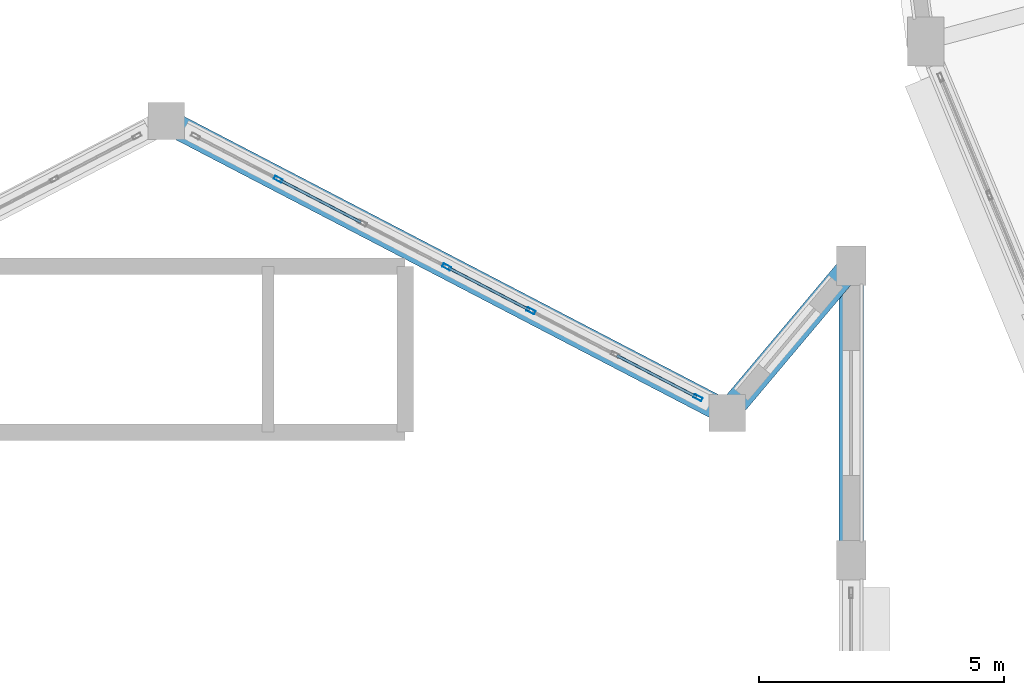
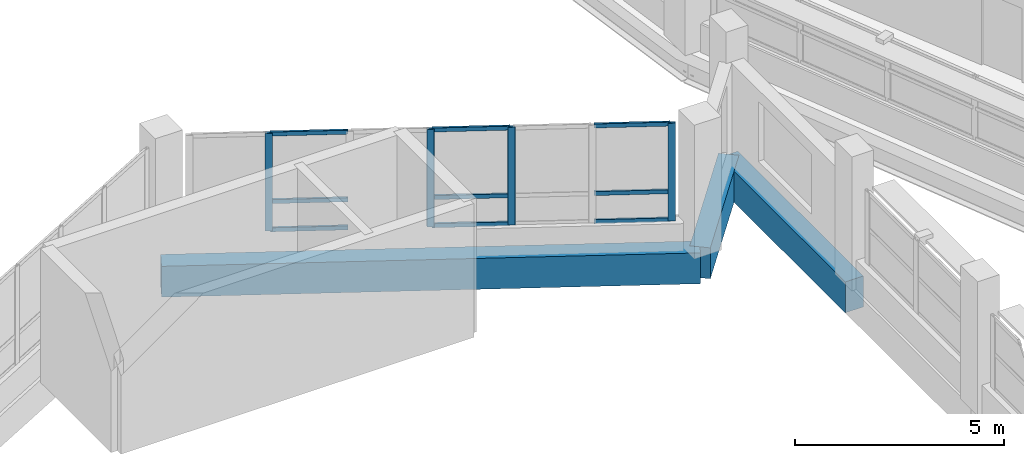
# One storey, part 17 of 121: 13 members, 3 beams, 1 element without a shape of its own.
"""IFC4 building model written with IfcOpenShell, lengths in metres."""

from ifc_helpers import new_model, si_unit, direction, frame, origin, origin_2d, place, context, subcontext, project, spatial, rectangle, hollow_rectangle, extrude, material, layer, layer_set, material_profile, profile_set, type_object, element, aggregate, save


model = new_model("IFC4")

# Units and contexts
model_context = context("Model", 3, precision=1e-05, world=origin(), true_north=direction((0.0, 1.0)))
body_context = subcontext(model_context, "Body", "Model", "MODEL_VIEW")
ifc_project = project(units=[si_unit("LENGTHUNIT", "METRE"), si_unit("AREAUNIT", "SQUARE_METRE"), si_unit("VOLUMEUNIT", "CUBIC_METRE"), si_unit("PLANEANGLEUNIT", "RADIAN"), si_unit("MASSUNIT", "GRAM", prefix="KILO")], contexts=[model_context])

# Site, building, storey
site_placement = place(None, origin())
site = spatial("IfcSite", under=ifc_project, at=site_placement, CompositionType="ELEMENT")
building_placement = place(site_placement, origin())
building = spatial("IfcBuilding", under=site, at=building_placement, Name="Vespera Passage Community Centre", CompositionType="ELEMENT")
storey_placement = place(building_placement, frame((0.0, 0.0, 8.699951171875)))
storey = spatial("IfcBuildingStorey", under=building, at=storey_placement, Name="L02", CompositionType="ELEMENT", Elevation=8.699951171875)

# Beams
ifc_material_1 = material(Name="Concrete f'c 45 MPa", Category="concrete")
ifc_material_profile_1 = material_profile(ifc_material_1, rectangle(XDim=0.5, YDim=0.89990234375, at=origin_2d()), Name="RC500X900")
ifc_profile_set_1 = profile_set([ifc_material_profile_1], Name="Concrete f'c 45 MPa")
beam_type = type_object("IfcBeamType", Name="BM-SP-500X900E", PredefinedType="SPANDREL", material=ifc_profile_set_1)
beam_1_placement = place(storey_placement, frame((31.949951171875, 43.0, -0.449951171875), z_axis=(0.0, 1.0, 0.0), x_axis=(-1.0, 0.0, 0.0)))
element("IfcBeam", 1, at=beam_1_placement, inside=storey, type_object=beam_type, Name="V1 L02 Spandrel E7", PredefinedType="SPANDREL", context=body_context, shape_type="SweptSolid", body=[
    extrude(rectangle(XDim=0.5, YDim=0.89990234375, at=origin_2d()), origin(), (0.0, 0.0, 1.0), 6.0),
])
beam_2_placement = place(storey_placement, frame((31.949951171875, 49.0, -0.449951171875), z_axis=(-0.643780739075, -0.765210010386, 0.0), x_axis=(0.765210010386, -0.643780739075, 0.0)))
element("IfcBeam", 2, at=beam_2_placement, inside=storey, type_object=beam_type, Name="V1 L02 N Apse Spandrel 1", PredefinedType="SPANDREL", context=body_context, shape_type="SweptSolid", body=[
    extrude(rectangle(XDim=0.5, YDim=0.89990234375, at=origin_2d()), origin(), (0.0, 0.0, 1.0), 3.91845703125),
])
beam_3_placement = place(storey_placement, frame((29.42724609375, 46.00146484375, -0.449951171875), z_axis=(-0.887015966554, 0.461738751978, 0.0), x_axis=(-0.461738751978, -0.887015966554, 0.0)))
element("IfcBeam", 3, at=beam_3_placement, inside=storey, type_object=beam_type, Name="V1 L02 N Apse Spandrel 2", PredefinedType="SPANDREL", context=body_context, shape_type="SweptSolid", body=[
    extrude(rectangle(XDim=0.5, YDim=0.89990234375, at=origin_2d()), origin(), (0.0, 0.0, 1.0), 12.8828125),
])

# Curtain wall, members
ifc_material_2 = material(Name="Anodized aluminium 6063-T6", Category="aluminium")
ifc_layer = layer(ifc_material_2, 0.159912109375)
ifc_layer_set = layer_set([ifc_layer], Name="Anodized aluminium 6063-T6")
curtain_wall_type = type_object("IfcCurtainWallType", Name="CW-87E", PredefinedType="NOTDEFINED", material=ifc_layer_set)
curtain_wall_placement = place(storey_placement, origin())
curtain_wall = element("IfcCurtainWall", 4, at=curtain_wall_placement, inside=storey, type_object=curtain_wall_type, Name="V1 L02 N Apse Ribbon Curtain Wall 3", PredefinedType="NOTDEFINED")
ifc_material_3 = material(Name="Anodized aluminium 6063-T6", Category="aluminium")
ifc_material_profile_2 = material_profile(ifc_material_3, hollow_rectangle(XDim=0.074951171875, YDim=0.179931640625, WallThickness=0.0048828125, InnerFilletRadius=0.00244140625, OuterFilletRadius=0.0048828125, at=origin_2d()), Name="ALU180X75X5")
ifc_profile_set_2 = profile_set([ifc_material_profile_2], Name="Anodized aluminium 6063-T6")
member_type_1 = type_object("IfcMemberType", Name="MB-CWM-180E", PredefinedType="MULLION", material=ifc_profile_set_2)
member_1_placement = place(storey_placement, frame((20.28173828125, 50.76220703125, 0.800048828125), z_axis=(0.0, 0.0, 1.0), x_axis=(0.46174493668, 0.887012747062, 0.0)))
member_1 = element("IfcMember", 5, at=member_1_placement, type_object=member_type_1, Name="CW-87E mullion 2", PredefinedType="MULLION", context=body_context, shape_type="SweptSolid", body=[
    extrude(hollow_rectangle(XDim=0.074951171875, YDim=0.179931640625, WallThickness=0.0048828125, InnerFilletRadius=0.00244140625, OuterFilletRadius=0.0048828125, at=origin_2d()), origin(), (0.0, 0.0, 1.0), 2.85009765625),
])
member_2_placement = place(storey_placement, frame((23.713623046875, 48.9755859375, 0.800048828125), z_axis=(0.0, 0.0, 1.0), x_axis=(0.46174493668, 0.887012747062, 0.0)))
member_2 = element("IfcMember", 6, at=member_2_placement, type_object=member_type_1, Name="CW-87E mullion 4", PredefinedType="MULLION", context=body_context, shape_type="SweptSolid", body=[
    extrude(hollow_rectangle(XDim=0.074951171875, YDim=0.179931640625, WallThickness=0.0048828125, InnerFilletRadius=0.00244140625, OuterFilletRadius=0.0048828125, at=origin_2d()), origin(), (0.0, 0.0, 1.0), 2.85009765625),
])
member_3_placement = place(storey_placement, frame((25.4296875, 48.08251953125, 0.800048828125), z_axis=(0.0, 0.0, 1.0), x_axis=(0.46174493668, 0.887012747062, 0.0)))
member_3 = element("IfcMember", 7, at=member_3_placement, type_object=member_type_1, Name="CW-87E mullion 5", PredefinedType="MULLION", context=body_context, shape_type="SweptSolid", body=[
    extrude(hollow_rectangle(XDim=0.074951171875, YDim=0.179931640625, WallThickness=0.0048828125, InnerFilletRadius=0.00244140625, OuterFilletRadius=0.0048828125, at=origin_2d()), origin(), (0.0, 0.0, 1.0), 2.85009765625),
])
member_4_placement = place(storey_placement, frame((28.828125, 46.313232421875, 0.800048828125), z_axis=(0.0, 0.0, 1.0), x_axis=(0.46174493668, 0.887012747062, 0.0)))
member_4 = element("IfcMember", 8, at=member_4_placement, type_object=member_type_1, Name="CW-87E mullion 7", PredefinedType="MULLION", context=body_context, shape_type="SweptSolid", body=[
    extrude(hollow_rectangle(XDim=0.074951171875, YDim=0.179931640625, WallThickness=0.0048828125, InnerFilletRadius=0.00244140625, OuterFilletRadius=0.0048828125, at=origin_2d()), origin(), (0.0, 0.0, 1.0), 2.85009765625),
])
ifc_material_4 = material(Name="Anodized aluminium 6063-T6", Category="aluminium")
ifc_material_profile_3 = material_profile(ifc_material_4, hollow_rectangle(XDim=0.06005859375, YDim=0.1201171875, WallThickness=0.00390625, InnerFilletRadius=0.001953125, OuterFilletRadius=0.00390625, at=origin_2d()), Name="ALU120X60X4")
ifc_profile_set_3 = profile_set([ifc_material_profile_3], Name="Anodized aluminium 6063-T6")
member_type_2 = type_object("IfcMemberType", Name="MB-CWT-120E", PredefinedType="USERDEFINED", material=ifc_profile_set_3)
member_5_placement = place(storey_placement, frame((20.31494140625, 50.744873046875, 0.830078125), z_axis=(0.887008197889, -0.461753675544, 0.0), x_axis=(0.461753675544, 0.887008197889, 0.0)))
member_5 = element("IfcMember", 9, at=member_5_placement, type_object=member_type_2, Name="CW-87E transom 2.1", ObjectType="TRANSOM", PredefinedType="USERDEFINED", context=body_context, shape_type="SweptSolid", body=[
    extrude(hollow_rectangle(XDim=0.06005859375, YDim=0.1201171875, WallThickness=0.00390625, InnerFilletRadius=0.001953125, OuterFilletRadius=0.00390625, at=origin_2d()), origin(), (0.0, 0.0, 1.0), 1.859619140625),
])
member_6_placement = place(storey_placement, frame((20.31494140625, 50.744873046875, 1.650146484375), z_axis=(0.887008197889, -0.461753675544, 0.0), x_axis=(0.461753675544, 0.887008197889, 0.0)))
member_6 = element("IfcMember", 10, at=member_6_placement, type_object=member_type_2, Name="CW-87E transom 2.2", ObjectType="TRANSOM", PredefinedType="USERDEFINED", context=body_context, shape_type="SweptSolid", body=[
    extrude(hollow_rectangle(XDim=0.06005859375, YDim=0.1201171875, WallThickness=0.00390625, InnerFilletRadius=0.001953125, OuterFilletRadius=0.00390625, at=origin_2d()), origin(), (0.0, 0.0, 1.0), 1.859619140625),
])
member_7_placement = place(storey_placement, frame((20.31494140625, 50.744873046875, 3.6201171875), z_axis=(0.887008197889, -0.461753675544, 0.0), x_axis=(0.461753675544, 0.887008197889, 0.0)))
member_7 = element("IfcMember", 11, at=member_7_placement, type_object=member_type_2, Name="CW-87E transom 2.3", ObjectType="TRANSOM", PredefinedType="USERDEFINED", context=body_context, shape_type="SweptSolid", body=[
    extrude(hollow_rectangle(XDim=0.06005859375, YDim=0.1201171875, WallThickness=0.00390625, InnerFilletRadius=0.001953125, OuterFilletRadius=0.00390625, at=origin_2d()), origin(), (0.0, 0.0, 1.0), 1.859619140625),
])
member_8_placement = place(storey_placement, frame((23.746826171875, 48.95849609375, 0.830078125), z_axis=(0.887008197889, -0.461753675544, 0.0), x_axis=(0.461753675544, 0.887008197889, 0.0)))
member_8 = element("IfcMember", 12, at=member_8_placement, type_object=member_type_2, Name="CW-87E transom 4.1", ObjectType="TRANSOM", PredefinedType="USERDEFINED", context=body_context, shape_type="SweptSolid", body=[
    extrude(hollow_rectangle(XDim=0.06005859375, YDim=0.1201171875, WallThickness=0.00390625, InnerFilletRadius=0.001953125, OuterFilletRadius=0.00390625, at=origin_2d()), origin(), (0.0, 0.0, 1.0), 1.859619140625),
])
member_9_placement = place(storey_placement, frame((23.746826171875, 48.95849609375, 1.650146484375), z_axis=(0.887008197889, -0.461753675544, 0.0), x_axis=(0.461753675544, 0.887008197889, 0.0)))
member_9 = element("IfcMember", 13, at=member_9_placement, type_object=member_type_2, Name="CW-87E transom 4.2", ObjectType="TRANSOM", PredefinedType="USERDEFINED", context=body_context, shape_type="SweptSolid", body=[
    extrude(hollow_rectangle(XDim=0.06005859375, YDim=0.1201171875, WallThickness=0.00390625, InnerFilletRadius=0.001953125, OuterFilletRadius=0.00390625, at=origin_2d()), origin(), (0.0, 0.0, 1.0), 1.859619140625),
])
member_10_placement = place(storey_placement, frame((23.746826171875, 48.95849609375, 3.6201171875), z_axis=(0.887008197889, -0.461753675544, 0.0), x_axis=(0.461753675544, 0.887008197889, 0.0)))
member_10 = element("IfcMember", 14, at=member_10_placement, type_object=member_type_2, Name="CW-87E transom 4.3", ObjectType="TRANSOM", PredefinedType="USERDEFINED", context=body_context, shape_type="SweptSolid", body=[
    extrude(hollow_rectangle(XDim=0.06005859375, YDim=0.1201171875, WallThickness=0.00390625, InnerFilletRadius=0.001953125, OuterFilletRadius=0.00390625, at=origin_2d()), origin(), (0.0, 0.0, 1.0), 1.859619140625),
])
member_11_placement = place(storey_placement, frame((27.1787109375, 47.171875, 0.830078125), z_axis=(0.887019277583, -0.461732391322, 0.0), x_axis=(0.461732391322, 0.887019277583, 0.0)))
member_11 = element("IfcMember", 15, at=member_11_placement, type_object=member_type_2, Name="CW-87E transom 6.1", ObjectType="TRANSOM", PredefinedType="USERDEFINED", context=body_context, shape_type="SweptSolid", body=[
    extrude(hollow_rectangle(XDim=0.06005859375, YDim=0.1201171875, WallThickness=0.00390625, InnerFilletRadius=0.001953125, OuterFilletRadius=0.00390625, at=origin_2d()), origin(), (0.0, 0.0, 1.0), 1.822021484375),
])
member_12_placement = place(storey_placement, frame((27.1787109375, 47.171875, 1.650146484375), z_axis=(0.887019277583, -0.461732391322, 0.0), x_axis=(0.461732391322, 0.887019277583, 0.0)))
member_12 = element("IfcMember", 16, at=member_12_placement, type_object=member_type_2, Name="CW-87E transom 6.2", ObjectType="TRANSOM", PredefinedType="USERDEFINED", context=body_context, shape_type="SweptSolid", body=[
    extrude(hollow_rectangle(XDim=0.06005859375, YDim=0.1201171875, WallThickness=0.00390625, InnerFilletRadius=0.001953125, OuterFilletRadius=0.00390625, at=origin_2d()), origin(), (0.0, 0.0, 1.0), 1.822021484375),
])
member_13_placement = place(storey_placement, frame((27.1787109375, 47.171875, 3.6201171875), z_axis=(0.887019277583, -0.461732391322, 0.0), x_axis=(0.461732391322, 0.887019277583, 0.0)))
member_13 = element("IfcMember", 17, at=member_13_placement, type_object=member_type_2, Name="CW-87E transom 6.3", ObjectType="TRANSOM", PredefinedType="USERDEFINED", context=body_context, shape_type="SweptSolid", body=[
    extrude(hollow_rectangle(XDim=0.06005859375, YDim=0.1201171875, WallThickness=0.00390625, InnerFilletRadius=0.001953125, OuterFilletRadius=0.00390625, at=origin_2d()), origin(), (0.0, 0.0, 1.0), 1.822021484375),
])
aggregate(curtain_wall, [member_1, member_2, member_3, member_4, member_5, member_6, member_7, member_8, member_9, member_10, member_11, member_12, member_13])

save(model, "model.ifc")
